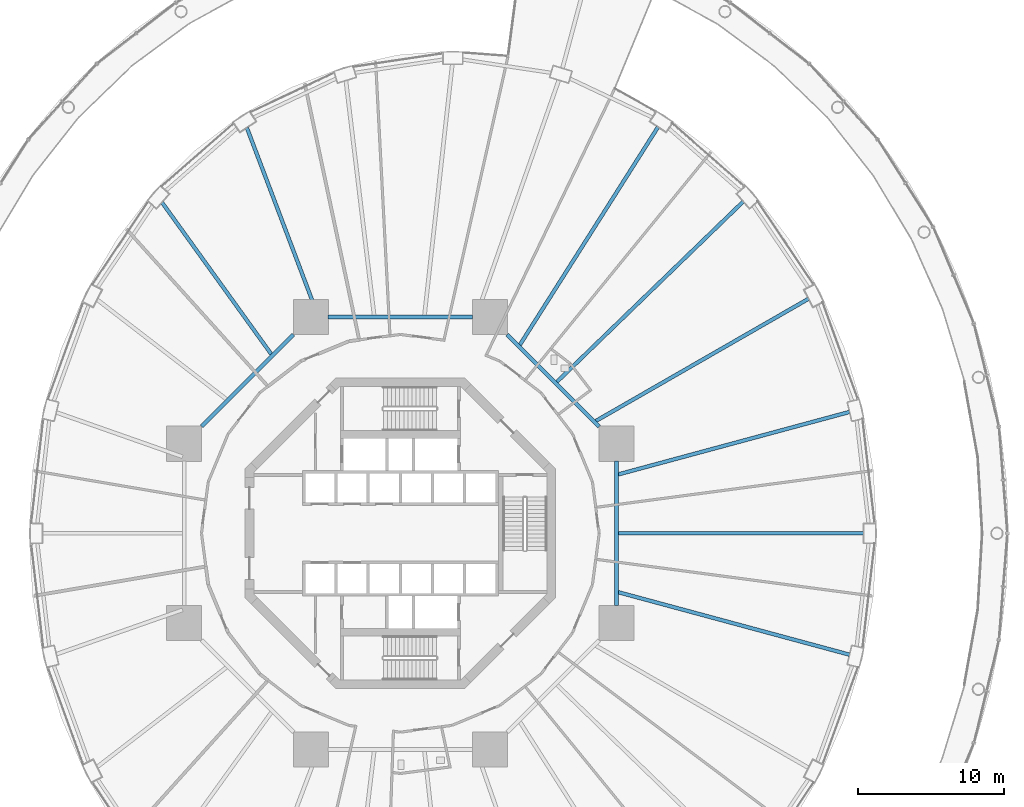
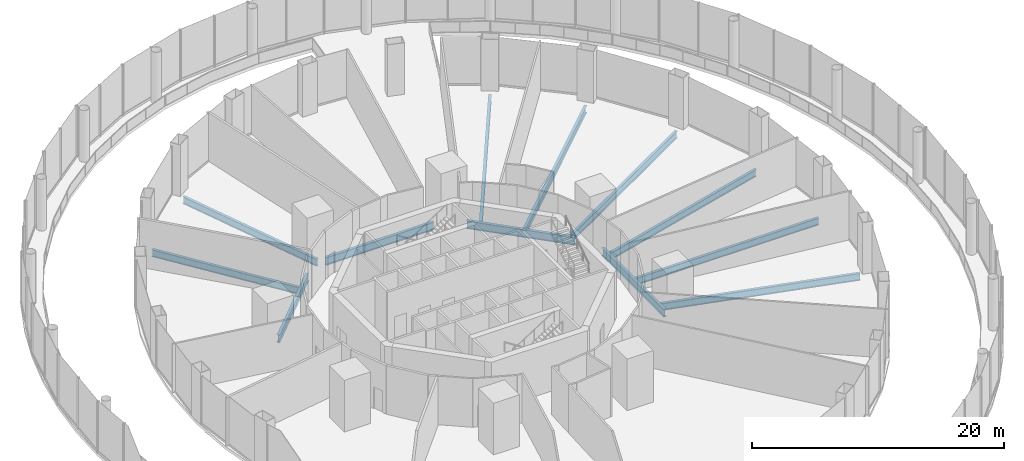
# One storey, part 22 of 48: 12 beams.
"""IFC4 building model written with IfcOpenShell, lengths in metres."""

from ifc_helpers import new_model, si_unit, direction, frame, origin, origin_2d, place, context, subcontext, project, spatial, i_section, extrude, material, material_profile, profile_set, type_object, element, save


model = new_model("IFC4")

# Units and contexts
model_context = context("Model", 3, precision=1e-05, world=origin(), true_north=direction((0.0, 1.0)))
body_context = subcontext(model_context, "Body", "Model", "MODEL_VIEW")
ifc_project = project(units=[si_unit("LENGTHUNIT", "METRE"), si_unit("AREAUNIT", "SQUARE_METRE"), si_unit("VOLUMEUNIT", "CUBIC_METRE"), si_unit("PLANEANGLEUNIT", "RADIAN"), si_unit("MASSUNIT", "GRAM", prefix="KILO")], contexts=[model_context])

# Site, building, storey
site_placement = place(None, origin())
site = spatial("IfcSite", under=ifc_project, at=site_placement, CompositionType="ELEMENT")
building_placement = place(site_placement, origin())
building = spatial("IfcBuilding", under=site, at=building_placement, Name="Nagisa Residences", CompositionType="ELEMENT")
storey_placement = place(building_placement, frame((0.0, 0.0, 12.0)))
storey = spatial("IfcBuildingStorey", under=building, at=storey_placement, Name="L02", CompositionType="ELEMENT", Elevation=12.0)

# Beams
ifc_material_1 = material(Name="Steel ASTM A572 Gr 50", Category="steel")
ifc_material_profile_1 = material_profile(ifc_material_1, i_section(OverallWidth=0.264892578125, OverallDepth=0.7529296875, WebThickness=0.01318359375, FlangeThickness=0.01708984375, at=origin_2d()), Name="W760x147")
ifc_profile_set_1 = profile_set([ifc_material_profile_1], Name="Steel ASTM A572 Gr 50")
beam_type_1 = type_object("IfcBeamType", Name="Inner ring beam W760x147", PredefinedType="BEAM", material=ifc_profile_set_1)
beam_1_placement = place(storey_placement, frame((13.59619140625, 7.308837890625, -0.676513671875), z_axis=(-0.707106781187, 0.707106781187, 0.0), x_axis=(-0.707106781187, -0.707106781187, 0.0)))
element("IfcBeam", 1, at=beam_1_placement, inside=storey, type_object=beam_type_1, Name="beam:L02:ib1", PredefinedType="BEAM", context=body_context, shape_type="SweptSolid", body=[
    extrude(i_section(OverallWidth=0.264892578125, OverallDepth=0.7529296875, WebThickness=0.01318359375, FlangeThickness=0.01708984375, at=origin_2d()), origin(), (0.0, 0.0, 1.0), 8.8916015625),
])
beam_2_placement = place(storey_placement, frame((4.94287109375, 14.781982421875, -0.676513671875), z_axis=(-1.0, 0.0, 0.0), x_axis=(0.0, -1.0, 0.0)))
element("IfcBeam", 2, at=beam_2_placement, inside=storey, type_object=beam_type_1, Name="beam:L02:ib2", PredefinedType="BEAM", context=body_context, shape_type="SweptSolid", body=[
    extrude(i_section(OverallWidth=0.264892578125, OverallDepth=0.7529296875, WebThickness=0.01318359375, FlangeThickness=0.01708984375, at=origin_2d()), origin(), (0.0, 0.0, 1.0), 9.8857421875),
])
beam_3_placement = place(storey_placement, frame((-7.308837890625, 13.59619140625, -0.676513671875), z_axis=(-0.707106781187, -0.707106781187, 0.0), x_axis=(0.707106781187, -0.707106781187, 0.0)))
element("IfcBeam", 3, at=beam_3_placement, inside=storey, type_object=beam_type_1, Name="beam:L02:ib3", PredefinedType="BEAM", context=body_context, shape_type="SweptSolid", body=[
    extrude(i_section(OverallWidth=0.264892578125, OverallDepth=0.7529296875, WebThickness=0.01318359375, FlangeThickness=0.01708984375, at=origin_2d()), origin(), (0.0, 0.0, 1.0), 8.8916015625),
])
beam_4_placement = place(storey_placement, frame((14.781982421875, -4.94287109375, -0.676513671875), z_axis=(0.0, 1.0, 0.0), x_axis=(-1.0, 0.0, 0.0)))
element("IfcBeam", 4, at=beam_4_placement, inside=storey, type_object=beam_type_1, Name="beam:L02:ib8", PredefinedType="BEAM", context=body_context, shape_type="SweptSolid", body=[
    extrude(i_section(OverallWidth=0.264892578125, OverallDepth=0.7529296875, WebThickness=0.01318359375, FlangeThickness=0.01708984375, at=origin_2d()), origin(), (0.0, 0.0, 1.0), 9.8857421875),
])
ifc_material_2 = material(Name="Steel ASTM A572 Gr 50", Category="steel")
ifc_material_profile_2 = material_profile(ifc_material_2, i_section(OverallWidth=0.25390625, OverallDepth=0.68408203125, WebThickness=0.012451171875, FlangeThickness=0.018798828125, at=origin_2d()), Name="W690x140")
ifc_profile_set_2 = profile_set([ifc_material_profile_2], Name="Steel ASTM A572 Gr 50")
beam_type_2 = type_object("IfcBeamType", Name="Radial beam W690x140", PredefinedType="BEAM", material=ifc_profile_set_2)
beam_5_placement = place(storey_placement, frame((31.669921875, 0.0, -0.64208984375), z_axis=(-1.0, 0.0, 0.0), x_axis=(0.0, -1.0, 0.0)))
element("IfcBeam", 5, at=beam_5_placement, inside=storey, type_object=beam_type_2, Name="beam:L02:rb01", PredefinedType="BEAM", context=body_context, shape_type="SweptSolid", body=[
    extrude(i_section(OverallWidth=0.25390625, OverallDepth=0.68408203125, WebThickness=0.012451171875, FlangeThickness=0.018798828125, at=origin_2d()), origin(), (0.0, 0.0, 1.0), 16.775390625),
])
beam_6_placement = place(storey_placement, frame((30.713623046875, 8.29931640625, -0.64208984375), z_axis=(-0.965375968847, -0.260862490162, 0.0), x_axis=(0.260862490162, -0.965375968847, 0.0)))
element("IfcBeam", 6, at=beam_6_placement, inside=storey, type_object=beam_type_2, Name="beam:L02:rb02", PredefinedType="BEAM", context=body_context, shape_type="SweptSolid", body=[
    extrude(i_section(OverallWidth=0.25390625, OverallDepth=0.68408203125, WebThickness=0.012451171875, FlangeThickness=0.018798828125, at=origin_2d()), origin(), (0.0, 0.0, 1.0), 16.3857421875),
])
beam_7_placement = place(storey_placement, frame((27.908447265625, 16.035400390625, -0.64208984375), z_axis=(-0.867068052258, -0.498189715623, 0.0), x_axis=(0.498189715623, -0.867068052258, 0.0)))
element("IfcBeam", 7, at=beam_7_placement, inside=storey, type_object=beam_type_2, Name="beam:L02:rb03", PredefinedType="BEAM", context=body_context, shape_type="SweptSolid", body=[
    extrude(i_section(OverallWidth=0.25390625, OverallDepth=0.68408203125, WebThickness=0.012451171875, FlangeThickness=0.018798828125, at=origin_2d()), origin(), (0.0, 0.0, 1.0), 16.758056640625),
])
beam_8_placement = place(storey_placement, frame((23.443115234375, 22.681640625, -0.64208984375), z_axis=(-0.718678305776, -0.695342716081, 0.0), x_axis=(0.695342716081, -0.718678305776, 0.0)))
element("IfcBeam", 8, at=beam_8_placement, inside=storey, type_object=beam_type_2, Name="beam:L02:rb04", PredefinedType="BEAM", context=body_context, shape_type="SweptSolid", body=[
    extrude(i_section(OverallWidth=0.25390625, OverallDepth=0.68408203125, WebThickness=0.012451171875, FlangeThickness=0.018798828125, at=origin_2d()), origin(), (0.0, 0.0, 1.0), 17.722900390625),
])
beam_9_placement = place(storey_placement, frame((17.61962890625, 27.78271484375, -0.64208984375), z_axis=(-0.53556610664, -0.844493306911, 0.0), x_axis=(0.844493306911, -0.53556610664, 0.0)))
element("IfcBeam", 9, at=beam_9_placement, inside=storey, type_object=beam_type_2, Name="beam:L02:rb05", PredefinedType="BEAM", context=body_context, shape_type="SweptSolid", body=[
    extrude(i_section(OverallWidth=0.25390625, OverallDepth=0.68408203125, WebThickness=0.012451171875, FlangeThickness=0.018798828125, at=origin_2d()), origin(), (0.0, 0.0, 1.0), 17.63525390625),
])
beam_10_placement = place(storey_placement, frame((-10.493896484375, 27.7333984375, -0.64208984375), z_axis=(0.353887892206, -0.935287848606, 0.0), x_axis=(0.935287848606, 0.353887892206, 0.0)))
element("IfcBeam", 10, at=beam_10_placement, inside=storey, type_object=beam_type_2, Name="beam:L02:rb09", PredefinedType="BEAM", context=body_context, shape_type="SweptSolid", body=[
    extrude(i_section(OverallWidth=0.25390625, OverallDepth=0.68408203125, WebThickness=0.012451171875, FlangeThickness=0.018798828125, at=origin_2d()), origin(), (0.0, 0.0, 1.0), 13.725830078125),
])
beam_11_placement = place(storey_placement, frame((-16.29443359375, 22.62255859375, -0.64208984375), z_axis=(0.58445507622, -0.811426068031, 0.0), x_axis=(0.811426068031, 0.58445507622, 0.0)))
element("IfcBeam", 11, at=beam_11_placement, inside=storey, type_object=beam_type_2, Name="beam:L02:rb10", PredefinedType="BEAM", context=body_context, shape_type="SweptSolid", body=[
    extrude(i_section(OverallWidth=0.25390625, OverallDepth=0.68408203125, WebThickness=0.012451171875, FlangeThickness=0.018798828125, at=origin_2d()), origin(), (0.0, 0.0, 1.0), 12.78955078125),
])
beam_12_placement = place(storey_placement, frame((30.713623046875, -8.29931640625, -0.64208984375), z_axis=(-0.965375968847, 0.260862490162, 0.0), x_axis=(-0.260862490162, -0.965375968847, 0.0)))
element("IfcBeam", 12, at=beam_12_placement, inside=storey, type_object=beam_type_2, Name="beam:L02:rb24", PredefinedType="BEAM", context=body_context, shape_type="SweptSolid", body=[
    extrude(i_section(OverallWidth=0.25390625, OverallDepth=0.68408203125, WebThickness=0.012451171875, FlangeThickness=0.018798828125, at=origin_2d()), origin(), (0.0, 0.0, 1.0), 16.3857421875),
])

save(model, "model.ifc")
